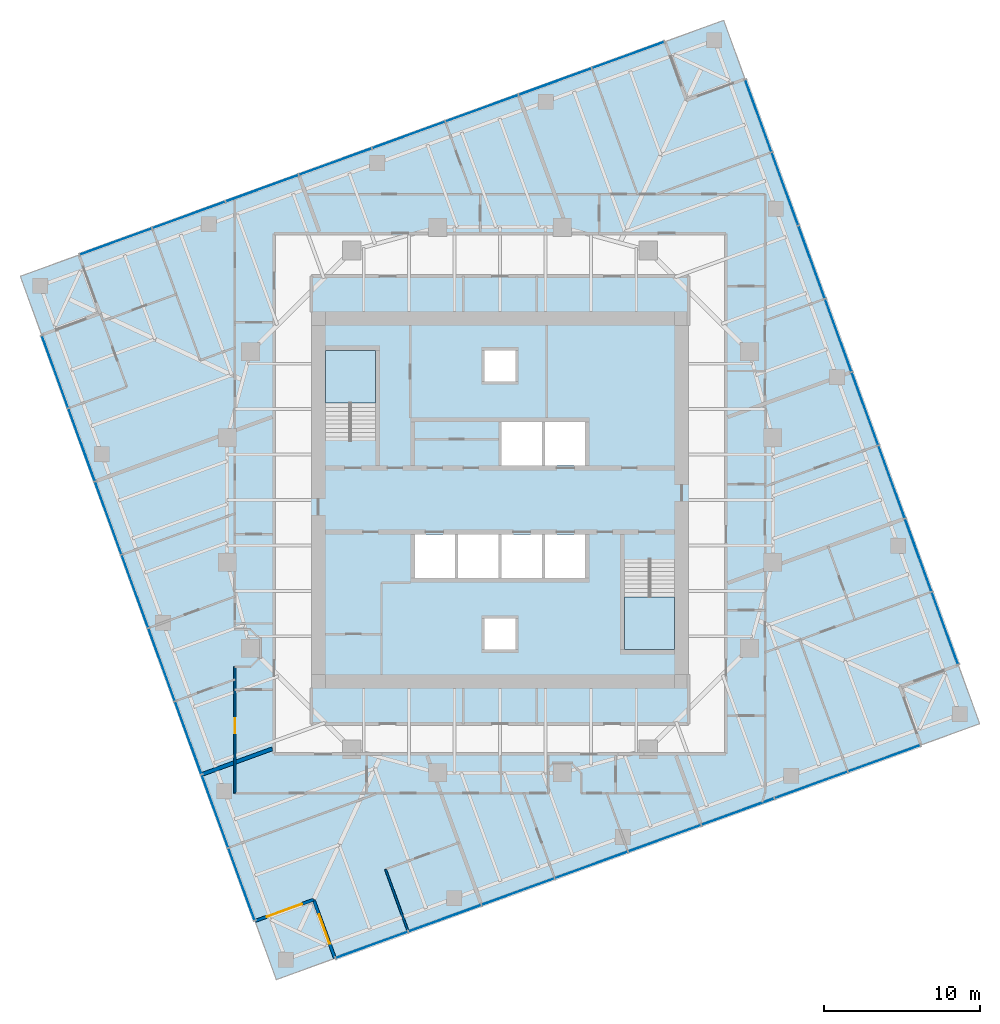
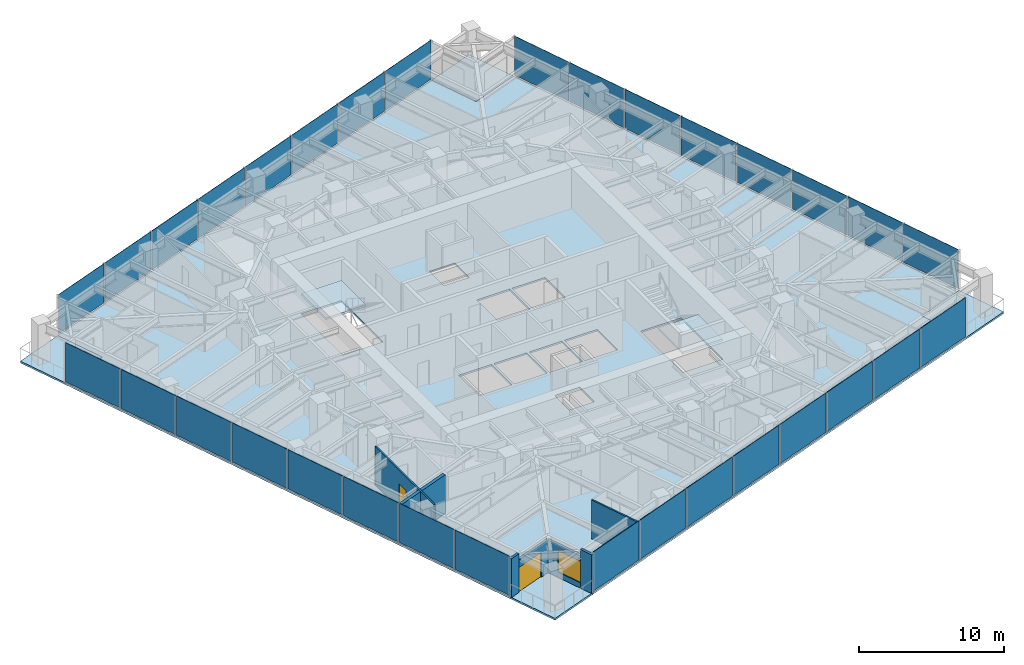
# One storey, part 6 of 13: 32 plates, 7 slabs, 7 walls, 2 doors, 1 window, 3 openings, 6 elements without a shape of their own.
"""IFC4 building model written with IfcOpenShell, lengths in metres."""

from ifc_helpers import new_model, si_unit, direction, frame, frame_2d, origin, origin_2d, place, context, subcontext, project, spatial, polyline, rectangle, outline, extrude, material, layer, layer_set, type_object, element, fill, aggregate, save


model = new_model("IFC4")

# Units and contexts
model_context = context("Model", 3, precision=1e-05, world=origin(), true_north=direction((0.0, 1.0)))
body_context = subcontext(model_context, "Body", "Model", "MODEL_VIEW")
ifc_project = project(units=[si_unit("LENGTHUNIT", "METRE"), si_unit("AREAUNIT", "SQUARE_METRE"), si_unit("VOLUMEUNIT", "CUBIC_METRE"), si_unit("PLANEANGLEUNIT", "RADIAN"), si_unit("MASSUNIT", "GRAM", prefix="KILO")], contexts=[model_context])

# Site, building, storey
site_placement = place(None, origin())
site = spatial("IfcSite", under=ifc_project, at=site_placement, CompositionType="ELEMENT")
building_placement = place(site_placement, origin())
building = spatial("IfcBuilding", under=site, at=building_placement, Name="Torsade Residences", CompositionType="ELEMENT")
storey_placement = place(building_placement, frame((0.0, 0.0, 154.0)))
storey = spatial("IfcBuildingStorey", under=building, at=storey_placement, Name="L42", CompositionType="ELEMENT", Elevation=154.0)

# Slab
ifc_material_1 = material(Name="Concrete 40 MPa", Category="concrete")
ifc_layer_1 = layer(ifc_material_1, 0.14990234375)
ifc_layer_set_1 = layer_set([ifc_layer_1], Name="Concrete 40 MPa")
slab_type_1 = type_object("IfcSlabType", Name="COMPOSITE FLOOR SLAB 150", PredefinedType="FLOOR", material=ifc_layer_set_1)
slab_1_placement = place(storey_placement, frame((0.0, 0.0, -0.14990234375)))
element("IfcSlab", 1, at=slab_1_placement, inside=storey, type_object=slab_type_1, Name="Floor slab L42", PredefinedType="FLOOR", context=body_context, shape_type="SweptSolid", body=[
    extrude(outline(polyline([(29.41455078125, 0.60693359375), (67.00244140625, 14.287841796875), (65.63427734375, 18.046630859375), (69.39306640625, 19.41455078125), (55.712158203125, 57.00244140625), (51.953369140625, 55.63427734375), (50.58544921875, 59.39306640625), (12.99755859375, 45.712158203125), (14.36572265625, 41.953369140625), (10.60693359375, 40.58544921875), (24.287841796875, 2.99755859375), (28.046630859375, 4.36572265625), (29.41455078125, 0.60693359375)]), holes=[polyline([(51.199951171875, 26.1201171875), (48.0, 26.1201171875), (48.0, 20.39990234375), (51.199951171875, 20.39990234375), (51.199951171875, 26.1201171875)]), polyline([(45.5, 27.800048828125), (42.89990234375, 27.800048828125), (42.89990234375, 25.0), (45.5, 25.0), (45.5, 27.800048828125)]), polyline([(45.5, 35.0), (42.89990234375, 35.0), (42.89990234375, 32.199951171875), (45.5, 32.199951171875), (45.5, 35.0)]), polyline([(42.699951171875, 25.0), (42.699951171875, 27.800048828125), (40.10009765625, 27.800048828125), (40.10009765625, 25.0), (42.699951171875, 25.0)]), polyline([(42.699951171875, 35.0), (40.10009765625, 35.0), (40.10009765625, 32.199951171875), (42.699951171875, 32.199951171875), (42.699951171875, 35.0)]), polyline([(41.0, 22.39990234375), (39.0, 22.39990234375), (39.0, 20.39990234375), (41.0, 20.39990234375), (41.0, 22.39990234375)]), polyline([(41.0, 37.60009765625), (41.0, 39.60009765625), (39.0, 39.60009765625), (39.0, 37.60009765625), (41.0, 37.60009765625)]), polyline([(39.89990234375, 25.0), (39.89990234375, 27.800048828125), (37.300048828125, 27.800048828125), (37.300048828125, 25.0), (39.89990234375, 25.0)]), polyline([(37.10009765625, 27.800048828125), (34.5, 27.800048828125), (34.5, 25.0), (37.10009765625, 25.0), (37.10009765625, 27.800048828125)]), polyline([(32.0, 33.8798828125), (32.0, 39.60009765625), (28.800048828125, 39.60009765625), (28.800048828125, 33.8798828125), (32.0, 33.8798828125)])]), origin(), (0.0, 0.0, 1.0), 0.14990234375),
])

# Curtain wall, plates
ifc_material_2 = material(Name="Aluminium and glass", Category="aluminium")
curtain_wall_type = type_object("IfcCurtainWallType", Name="FRITTED GLASS CURTAIN WALL MID ZONE", PredefinedType="NOTDEFINED", material=ifc_material_2)
curtain_wall_1_placement = place(storey_placement, origin())
curtain_wall_1 = element("IfcCurtainWall", 2, at=curtain_wall_1_placement, inside=storey, type_object=curtain_wall_type, Name="Curtain wall L42 face 1", PredefinedType="NOTDEFINED")
ifc_material_3 = material(Name="Laminated glass", Category="glass")
ifc_layer_2 = layer(ifc_material_3, 0.031982421875)
ifc_layer_set_2 = layer_set([ifc_layer_2], Name="Laminated glass")
plate_type_1 = type_object("IfcPlateType", Name="FRITTED GLASS PANEL", PredefinedType="CURTAIN_PANEL", material=ifc_layer_set_2)
plate_1_placement = place(storey_placement, frame((31.78271484375, 1.46875, 0.10986328125), z_axis=(0.0, 0.0, 1.0), x_axis=(0.939692619132, 0.342020147869, 0.0)))
plate_1 = element("IfcPlate", 3, at=plate_1_placement, type_object=plate_type_1, Name="Panel 1", PredefinedType="CURTAIN_PANEL", context=body_context, shape_type="SweptSolid", body=[
    extrude(rectangle(XDim=4.8798828125, YDim=0.031982421875, at=origin_2d()), origin(), (0.0, 0.0, 1.0), 3.2900390625),
])
plate_2_placement = place(storey_placement, frame((41.160888671875, 4.88232421875, 0.10986328125), z_axis=(0.0, 0.0, 1.0), x_axis=(0.939692619132, 0.342020147869, 0.0)))
plate_2 = element("IfcPlate", 4, at=plate_2_placement, type_object=plate_type_1, Name="Panel 3", PredefinedType="CURTAIN_PANEL", context=body_context, shape_type="SweptSolid", body=[
    extrude(rectangle(XDim=4.919921875, YDim=0.031982421875, at=origin_2d()), origin(), (0.0, 0.0, 1.0), 3.2900390625),
])
plate_3_placement = place(storey_placement, frame((45.859130859375, 6.59228515625, 0.10986328125), z_axis=(0.0, 0.0, 1.0), x_axis=(0.939692619132, 0.342020147869, 0.0)))
plate_3 = element("IfcPlate", 5, at=plate_3_placement, type_object=plate_type_1, Name="Panel 4", PredefinedType="CURTAIN_PANEL", context=body_context, shape_type="SweptSolid", body=[
    extrude(rectangle(XDim=4.919921875, YDim=0.031982421875, at=origin_2d()), origin(), (0.0, 0.0, 1.0), 3.2900390625),
])
plate_4_placement = place(storey_placement, frame((50.5576171875, 8.302490234375, 0.10986328125), z_axis=(0.0, 0.0, 1.0), x_axis=(0.939692619132, 0.342020147869, 0.0)))
plate_4 = element("IfcPlate", 6, at=plate_4_placement, type_object=plate_type_1, Name="Panel 5", PredefinedType="CURTAIN_PANEL", context=body_context, shape_type="SweptSolid", body=[
    extrude(rectangle(XDim=4.919921875, YDim=0.031982421875, at=origin_2d()), origin(), (0.0, 0.0, 1.0), 3.2900390625),
])
plate_5_placement = place(storey_placement, frame((59.95458984375, 11.72265625, 0.10986328125), z_axis=(0.0, 0.0, 1.0), x_axis=(0.939692619132, 0.342020147869, 0.0)))
plate_5 = element("IfcPlate", 7, at=plate_5_placement, type_object=plate_type_1, Name="Panel 7", PredefinedType="CURTAIN_PANEL", context=body_context, shape_type="SweptSolid", body=[
    extrude(rectangle(XDim=4.919921875, YDim=0.031982421875, at=origin_2d()), origin(), (0.0, 0.0, 1.0), 3.2900390625),
])
plate_6_placement = place(storey_placement, frame((64.63427734375, 13.42578125, 0.10986328125), z_axis=(0.0, 0.0, 1.0), x_axis=(0.939692619132, 0.342020147869, 0.0)))
plate_6 = element("IfcPlate", 8, at=plate_6_placement, type_object=plate_type_1, Name="Panel 8", PredefinedType="CURTAIN_PANEL", context=body_context, shape_type="SweptSolid", body=[
    extrude(rectangle(XDim=4.8798828125, YDim=0.031982421875, at=origin_2d()), origin(), (0.0, 0.0, 1.0), 3.2900390625),
])

curtain_wall_2_placement = place(storey_placement, origin())
curtain_wall_2 = element("IfcCurtainWall", 9, at=curtain_wall_2_placement, inside=storey, type_object=curtain_wall_type, Name="Curtain wall L42 face 4", PredefinedType="NOTDEFINED")
plate_7_placement = place(storey_placement, frame((68.53125, 21.78271484375, 0.10986328125), z_axis=(0.0, 0.0, 1.0), x_axis=(-0.342020147869, 0.939692619132, 0.0)))
plate_7 = element("IfcPlate", 10, at=plate_7_placement, type_object=plate_type_1, Name="Panel 1", PredefinedType="CURTAIN_PANEL", context=body_context, shape_type="SweptSolid", body=[
    extrude(rectangle(XDim=4.8798828125, YDim=0.031982421875, at=origin_2d()), origin(), (0.0, 0.0, 1.0), 3.2900390625),
])
plate_8_placement = place(storey_placement, frame((65.11767578125, 31.160888671875, 0.10986328125), z_axis=(0.0, 0.0, 1.0), x_axis=(-0.342020147869, 0.939692619132, 0.0)))
plate_8 = element("IfcPlate", 11, at=plate_8_placement, type_object=plate_type_1, Name="Panel 3", PredefinedType="CURTAIN_PANEL", context=body_context, shape_type="SweptSolid", body=[
    extrude(rectangle(XDim=4.919921875, YDim=0.031982421875, at=origin_2d()), origin(), (0.0, 0.0, 1.0), 3.2900390625),
])
plate_9_placement = place(storey_placement, frame((63.40771484375, 35.859130859375, 0.10986328125), z_axis=(0.0, 0.0, 1.0), x_axis=(-0.342020147869, 0.939692619132, 0.0)))
plate_9 = element("IfcPlate", 12, at=plate_9_placement, type_object=plate_type_1, Name="Panel 4", PredefinedType="CURTAIN_PANEL", context=body_context, shape_type="SweptSolid", body=[
    extrude(rectangle(XDim=4.919921875, YDim=0.031982421875, at=origin_2d()), origin(), (0.0, 0.0, 1.0), 3.2900390625),
])
plate_10_placement = place(storey_placement, frame((61.697509765625, 40.5576171875, 0.10986328125), z_axis=(0.0, 0.0, 1.0), x_axis=(-0.342020147869, 0.939692619132, 0.0)))
plate_10 = element("IfcPlate", 13, at=plate_10_placement, type_object=plate_type_1, Name="Panel 5", PredefinedType="CURTAIN_PANEL", context=body_context, shape_type="SweptSolid", body=[
    extrude(rectangle(XDim=4.919921875, YDim=0.031982421875, at=origin_2d()), origin(), (0.0, 0.0, 1.0), 3.2900390625),
])
plate_11_placement = place(storey_placement, frame((58.27734375, 49.95458984375, 0.10986328125), z_axis=(0.0, 0.0, 1.0), x_axis=(-0.342020147869, 0.939692619132, 0.0)))
plate_11 = element("IfcPlate", 14, at=plate_11_placement, type_object=plate_type_1, Name="Panel 7", PredefinedType="CURTAIN_PANEL", context=body_context, shape_type="SweptSolid", body=[
    extrude(rectangle(XDim=4.919921875, YDim=0.031982421875, at=origin_2d()), origin(), (0.0, 0.0, 1.0), 3.2900390625),
])
plate_12_placement = place(storey_placement, frame((56.57421875, 54.63427734375, 0.10986328125), z_axis=(0.0, 0.0, 1.0), x_axis=(-0.342020147869, 0.939692619132, 0.0)))
plate_12 = element("IfcPlate", 15, at=plate_12_placement, type_object=plate_type_1, Name="Panel 8", PredefinedType="CURTAIN_PANEL", context=body_context, shape_type="SweptSolid", body=[
    extrude(rectangle(XDim=4.8798828125, YDim=0.031982421875, at=origin_2d()), origin(), (0.0, 0.0, 1.0), 3.2900390625),
])

curtain_wall_3_placement = place(storey_placement, origin())
curtain_wall_3 = element("IfcCurtainWall", 16, at=curtain_wall_3_placement, inside=storey, type_object=curtain_wall_type, Name="Curtain wall L42 face 7", PredefinedType="NOTDEFINED")
plate_13_placement = place(storey_placement, frame((48.21728515625, 58.53125, 0.10986328125), z_axis=(0.0, 0.0, 1.0), x_axis=(-0.939692619132, -0.342020147869, 0.0)))
plate_13 = element("IfcPlate", 17, at=plate_13_placement, type_object=plate_type_1, Name="Panel 1", PredefinedType="CURTAIN_PANEL", context=body_context, shape_type="SweptSolid", body=[
    extrude(rectangle(XDim=4.8798828125, YDim=0.031982421875, at=origin_2d()), origin(), (0.0, 0.0, 1.0), 3.2900390625),
])
plate_14_placement = place(storey_placement, frame((38.839111328125, 55.11767578125, 0.10986328125), z_axis=(0.0, 0.0, 1.0), x_axis=(-0.939692619132, -0.342020147869, 0.0)))
plate_14 = element("IfcPlate", 18, at=plate_14_placement, type_object=plate_type_1, Name="Panel 3", PredefinedType="CURTAIN_PANEL", context=body_context, shape_type="SweptSolid", body=[
    extrude(rectangle(XDim=4.919921875, YDim=0.031982421875, at=origin_2d()), origin(), (0.0, 0.0, 1.0), 3.2900390625),
])
plate_15_placement = place(storey_placement, frame((34.140869140625, 53.40771484375, 0.10986328125), z_axis=(0.0, 0.0, 1.0), x_axis=(-0.939692619132, -0.342020147869, 0.0)))
plate_15 = element("IfcPlate", 19, at=plate_15_placement, type_object=plate_type_1, Name="Panel 4", PredefinedType="CURTAIN_PANEL", context=body_context, shape_type="SweptSolid", body=[
    extrude(rectangle(XDim=4.919921875, YDim=0.031982421875, at=origin_2d()), origin(), (0.0, 0.0, 1.0), 3.2900390625),
])
plate_16_placement = place(storey_placement, frame((29.4423828125, 51.697509765625, 0.10986328125), z_axis=(0.0, 0.0, 1.0), x_axis=(-0.939692619132, -0.342020147869, 0.0)))
plate_16 = element("IfcPlate", 20, at=plate_16_placement, type_object=plate_type_1, Name="Panel 5", PredefinedType="CURTAIN_PANEL", context=body_context, shape_type="SweptSolid", body=[
    extrude(rectangle(XDim=4.919921875, YDim=0.031982421875, at=origin_2d()), origin(), (0.0, 0.0, 1.0), 3.2900390625),
])
plate_17_placement = place(storey_placement, frame((20.04541015625, 48.27734375, 0.10986328125), z_axis=(0.0, 0.0, 1.0), x_axis=(-0.939692619132, -0.342020147869, 0.0)))
plate_17 = element("IfcPlate", 21, at=plate_17_placement, type_object=plate_type_1, Name="Panel 7", PredefinedType="CURTAIN_PANEL", context=body_context, shape_type="SweptSolid", body=[
    extrude(rectangle(XDim=4.919921875, YDim=0.031982421875, at=origin_2d()), origin(), (0.0, 0.0, 1.0), 3.2900390625),
])
plate_18_placement = place(storey_placement, frame((15.36572265625, 46.57421875, 0.10986328125), z_axis=(0.0, 0.0, 1.0), x_axis=(-0.939692619132, -0.342020147869, 0.0)))
plate_18 = element("IfcPlate", 22, at=plate_18_placement, type_object=plate_type_1, Name="Panel 8", PredefinedType="CURTAIN_PANEL", context=body_context, shape_type="SweptSolid", body=[
    extrude(rectangle(XDim=4.8798828125, YDim=0.031982421875, at=origin_2d()), origin(), (0.0, 0.0, 1.0), 3.2900390625),
])

curtain_wall_4_placement = place(storey_placement, origin())
curtain_wall_4 = element("IfcCurtainWall", 23, at=curtain_wall_4_placement, inside=storey, type_object=curtain_wall_type, Name="Curtain wall L42 face 10", PredefinedType="NOTDEFINED")
plate_19_placement = place(storey_placement, frame((11.46875, 38.21728515625, 0.10986328125), z_axis=(0.0, 0.0, 1.0), x_axis=(0.342020147869, -0.939692619132, 0.0)))
plate_19 = element("IfcPlate", 24, at=plate_19_placement, type_object=plate_type_1, Name="Panel 1", PredefinedType="CURTAIN_PANEL", context=body_context, shape_type="SweptSolid", body=[
    extrude(rectangle(XDim=4.8798828125, YDim=0.031982421875, at=origin_2d()), origin(), (0.0, 0.0, 1.0), 3.2900390625),
])
plate_20_placement = place(storey_placement, frame((14.88232421875, 28.839111328125, 0.10986328125), z_axis=(0.0, 0.0, 1.0), x_axis=(0.342020147869, -0.939692619132, 0.0)))
plate_20 = element("IfcPlate", 25, at=plate_20_placement, type_object=plate_type_1, Name="Panel 3", PredefinedType="CURTAIN_PANEL", context=body_context, shape_type="SweptSolid", body=[
    extrude(rectangle(XDim=4.919921875, YDim=0.031982421875, at=origin_2d()), origin(), (0.0, 0.0, 1.0), 3.2900390625),
])
plate_21_placement = place(storey_placement, frame((16.59228515625, 24.140869140625, 0.10986328125), z_axis=(0.0, 0.0, 1.0), x_axis=(0.342020147869, -0.939692619132, 0.0)))
plate_21 = element("IfcPlate", 26, at=plate_21_placement, type_object=plate_type_1, Name="Panel 4", PredefinedType="CURTAIN_PANEL", context=body_context, shape_type="SweptSolid", body=[
    extrude(rectangle(XDim=4.919921875, YDim=0.031982421875, at=origin_2d()), origin(), (0.0, 0.0, 1.0), 3.2900390625),
])
plate_22_placement = place(storey_placement, frame((18.302490234375, 19.4423828125, 0.10986328125), z_axis=(0.0, 0.0, 1.0), x_axis=(0.342020147869, -0.939692619132, 0.0)))
plate_22 = element("IfcPlate", 27, at=plate_22_placement, type_object=plate_type_1, Name="Panel 5", PredefinedType="CURTAIN_PANEL", context=body_context, shape_type="SweptSolid", body=[
    extrude(rectangle(XDim=4.919921875, YDim=0.031982421875, at=origin_2d()), origin(), (0.0, 0.0, 1.0), 3.2900390625),
])
plate_23_placement = place(storey_placement, frame((21.72265625, 10.04541015625, 0.10986328125), z_axis=(0.0, 0.0, 1.0), x_axis=(0.342020147869, -0.939692619132, 0.0)))
plate_23 = element("IfcPlate", 28, at=plate_23_placement, type_object=plate_type_1, Name="Panel 7", PredefinedType="CURTAIN_PANEL", context=body_context, shape_type="SweptSolid", body=[
    extrude(rectangle(XDim=4.919921875, YDim=0.031982421875, at=origin_2d()), origin(), (0.0, 0.0, 1.0), 3.2900390625),
])
plate_24_placement = place(storey_placement, frame((23.42578125, 5.36572265625, 0.10986328125), z_axis=(0.0, 0.0, 1.0), x_axis=(0.342020147869, -0.939692619132, 0.0)))
plate_24 = element("IfcPlate", 29, at=plate_24_placement, type_object=plate_type_1, Name="Panel 8", PredefinedType="CURTAIN_PANEL", context=body_context, shape_type="SweptSolid", body=[
    extrude(rectangle(XDim=4.8798828125, YDim=0.031982421875, at=origin_2d()), origin(), (0.0, 0.0, 1.0), 3.2900390625),
])

# Plate
ifc_material_4 = material(Name="Laminated glass", Category="glass")
ifc_layer_3 = layer(ifc_material_4, 0.0400390625)
ifc_layer_set_3 = layer_set([ifc_layer_3], Name="Laminated glass")
plate_type_2 = type_object("IfcPlateType", Name="OPERABLE VENT PANEL", PredefinedType="CURTAIN_PANEL", material=ifc_layer_set_3)
plate_25_placement = place(storey_placement, frame((36.46240234375, 3.172119140625, 0.10986328125), z_axis=(0.0, 0.0, 1.0), x_axis=(0.939692619132, 0.342020147869, 0.0)))
plate_25 = element("IfcPlate", 30, at=plate_25_placement, type_object=plate_type_2, Name="Panel 2", PredefinedType="CURTAIN_PANEL", context=body_context, shape_type="SweptSolid", body=[
    extrude(rectangle(XDim=4.919921875, YDim=0.0400390625, at=origin_2d()), origin(), (0.0, 0.0, 1.0), 3.2900390625),
])

plate_26_placement = place(storey_placement, frame((55.256103515625, 10.012451171875, 0.10986328125), z_axis=(0.0, 0.0, 1.0), x_axis=(0.939692619132, 0.342020147869, 0.0)))
plate_26 = element("IfcPlate", 31, at=plate_26_placement, type_object=plate_type_2, Name="Panel 6", PredefinedType="CURTAIN_PANEL", context=body_context, shape_type="SweptSolid", body=[
    extrude(rectangle(XDim=4.919921875, YDim=0.0400390625, at=origin_2d()), origin(), (0.0, 0.0, 1.0), 3.2900390625),
])

aggregate(curtain_wall_1, [plate_1, plate_25, plate_2, plate_3, plate_4, plate_26, plate_5, plate_6])

plate_27_placement = place(storey_placement, frame((66.827880859375, 26.46240234375, 0.10986328125), z_axis=(0.0, 0.0, 1.0), x_axis=(-0.342020147869, 0.939692619132, 0.0)))
plate_27 = element("IfcPlate", 32, at=plate_27_placement, type_object=plate_type_2, Name="Panel 2", PredefinedType="CURTAIN_PANEL", context=body_context, shape_type="SweptSolid", body=[
    extrude(rectangle(XDim=4.919921875, YDim=0.0400390625, at=origin_2d()), origin(), (0.0, 0.0, 1.0), 3.2900390625),
])

plate_28_placement = place(storey_placement, frame((59.987548828125, 45.256103515625, 0.10986328125), z_axis=(0.0, 0.0, 1.0), x_axis=(-0.342020147869, 0.939692619132, 0.0)))
plate_28 = element("IfcPlate", 33, at=plate_28_placement, type_object=plate_type_2, Name="Panel 6", PredefinedType="CURTAIN_PANEL", context=body_context, shape_type="SweptSolid", body=[
    extrude(rectangle(XDim=4.919921875, YDim=0.0400390625, at=origin_2d()), origin(), (0.0, 0.0, 1.0), 3.2900390625),
])

aggregate(curtain_wall_2, [plate_7, plate_27, plate_8, plate_9, plate_10, plate_28, plate_11, plate_12])

plate_29_placement = place(storey_placement, frame((43.53759765625, 56.827880859375, 0.10986328125), z_axis=(0.0, 0.0, 1.0), x_axis=(-0.939692619132, -0.342020147869, 0.0)))
plate_29 = element("IfcPlate", 34, at=plate_29_placement, type_object=plate_type_2, Name="Panel 2", PredefinedType="CURTAIN_PANEL", context=body_context, shape_type="SweptSolid", body=[
    extrude(rectangle(XDim=4.919921875, YDim=0.0400390625, at=origin_2d()), origin(), (0.0, 0.0, 1.0), 3.2900390625),
])

plate_30_placement = place(storey_placement, frame((24.743896484375, 49.987548828125, 0.10986328125), z_axis=(0.0, 0.0, 1.0), x_axis=(-0.939692619132, -0.342020147869, 0.0)))
plate_30 = element("IfcPlate", 35, at=plate_30_placement, type_object=plate_type_2, Name="Panel 6", PredefinedType="CURTAIN_PANEL", context=body_context, shape_type="SweptSolid", body=[
    extrude(rectangle(XDim=4.919921875, YDim=0.0400390625, at=origin_2d()), origin(), (0.0, 0.0, 1.0), 3.2900390625),
])

aggregate(curtain_wall_3, [plate_13, plate_29, plate_14, plate_15, plate_16, plate_30, plate_17, plate_18])

plate_31_placement = place(storey_placement, frame((13.172119140625, 33.53759765625, 0.10986328125), z_axis=(0.0, 0.0, 1.0), x_axis=(0.342020147869, -0.939692619132, 0.0)))
plate_31 = element("IfcPlate", 36, at=plate_31_placement, type_object=plate_type_2, Name="Panel 2", PredefinedType="CURTAIN_PANEL", context=body_context, shape_type="SweptSolid", body=[
    extrude(rectangle(XDim=4.919921875, YDim=0.0400390625, at=origin_2d()), origin(), (0.0, 0.0, 1.0), 3.2900390625),
])

plate_32_placement = place(storey_placement, frame((20.012451171875, 14.743896484375, 0.10986328125), z_axis=(0.0, 0.0, 1.0), x_axis=(0.342020147869, -0.939692619132, 0.0)))
plate_32 = element("IfcPlate", 37, at=plate_32_placement, type_object=plate_type_2, Name="Panel 6", PredefinedType="CURTAIN_PANEL", context=body_context, shape_type="SweptSolid", body=[
    extrude(rectangle(XDim=4.919921875, YDim=0.0400390625, at=origin_2d()), origin(), (0.0, 0.0, 1.0), 3.2900390625),
])

aggregate(curtain_wall_4, [plate_19, plate_31, plate_20, plate_21, plate_22, plate_32, plate_23, plate_24])

# Stair, slab
ifc_material_5 = material(Name="Precast concrete 40 MPa", Category="concrete")
stair_type = type_object("IfcStairType", Name="HALF-TURN FIRE STAIR 1500x3400", PredefinedType="HALF_TURN_STAIR", material=ifc_material_5)
stair_1_placement = place(storey_placement, origin())
stair_1 = element("IfcStair", 38, at=stair_1_placement, inside=storey, type_object=stair_type, Name="Stair ST1 L42", PredefinedType="HALF_TURN_STAIR")
ifc_material_6 = material(Name="Precast concrete 40 MPa", Category="concrete")
ifc_layer_4 = layer(ifc_material_6, 0.179931640625)
ifc_layer_set_4 = layer_set([ifc_layer_4], Name="Precast concrete 40 MPa")
slab_type_2 = type_object("IfcSlabType", Name="PRECAST STAIR LANDING 180", PredefinedType="LANDING", material=ifc_layer_set_4)
slab_2_placement = place(storey_placement, frame((0.0, 0.0, 1.52001953125)))
slab_2 = element("IfcSlab", 39, at=slab_2_placement, type_object=slab_type_2, Name="ST1 landing 1", PredefinedType="LANDING", context=body_context, shape_type="SweptSolid", body=[
    extrude(outline(polyline([(28.800048828125, 36.2099609375), (32.0, 36.2099609375), (32.0, 39.60009765625), (28.800048828125, 39.60009765625), (28.800048828125, 36.2099609375)])), origin(), (0.0, 0.0, 1.0), 0.179931640625),
])
aggregate(stair_1, [slab_2])

stair_2_placement = place(storey_placement, origin())
stair_2 = element("IfcStair", 40, at=stair_2_placement, inside=storey, type_object=stair_type, Name="Stair ST2 L42", PredefinedType="HALF_TURN_STAIR")
slab_3_placement = place(storey_placement, frame((0.0, 0.0, 1.52001953125)))
slab_3 = element("IfcSlab", 41, at=slab_3_placement, type_object=slab_type_2, Name="ST2 landing 1", PredefinedType="LANDING", context=body_context, shape_type="SweptSolid", body=[
    extrude(outline(polyline([(48.0, 20.39990234375), (51.199951171875, 20.39990234375), (51.199951171875, 23.7900390625), (48.0, 23.7900390625), (48.0, 20.39990234375)])), origin(), (0.0, 0.0, 1.0), 0.179931640625),
])
aggregate(stair_2, [slab_3])

# Slabs
ifc_material_7 = material(Name="Concrete 40 MPa", Category="concrete")
ifc_layer_5 = layer(ifc_material_7, 0.14990234375)
ifc_layer_set_5 = layer_set([ifc_layer_5], Name="Concrete 40 MPa")
slab_type_3 = type_object("IfcSlabType", Name="TERRACE SLAB 150", PredefinedType="FLOOR", material=ifc_layer_set_5)
slab_4_placement = place(storey_placement, frame((0.0, 0.0, -0.14990234375)))
element("IfcSlab", 42, at=slab_4_placement, inside=storey, type_object=slab_type_3, Name="Corner terrace slab SE L42", PredefinedType="FLOOR", context=body_context, shape_type="SweptSolid", body=[
    extrude(outline(polyline([(67.00244140625, 14.287841796875), (70.760986328125, 15.65576171875), (69.39306640625, 19.41455078125), (65.63427734375, 18.046630859375), (67.00244140625, 14.287841796875)])), origin(), (0.0, 0.0, 1.0), 0.14990234375),
])
slab_5_placement = place(storey_placement, frame((0.0, 0.0, -0.14990234375)))
element("IfcSlab", 43, at=slab_5_placement, inside=storey, type_object=slab_type_3, Name="Corner terrace slab NE L42", PredefinedType="FLOOR", context=body_context, shape_type="SweptSolid", body=[
    extrude(outline(polyline([(51.953369140625, 55.63427734375), (55.712158203125, 57.00244140625), (54.34423828125, 60.760986328125), (50.58544921875, 59.39306640625), (51.953369140625, 55.63427734375)])), origin(), (0.0, 0.0, 1.0), 0.14990234375),
])
slab_6_placement = place(storey_placement, frame((0.0, 0.0, -0.14990234375)))
element("IfcSlab", 44, at=slab_6_placement, inside=storey, type_object=slab_type_3, Name="Corner terrace slab NW L42", PredefinedType="FLOOR", context=body_context, shape_type="SweptSolid", body=[
    extrude(outline(polyline([(10.60693359375, 40.58544921875), (14.36572265625, 41.953369140625), (12.99755859375, 45.712158203125), (9.239013671875, 44.34423828125), (10.60693359375, 40.58544921875)])), origin(), (0.0, 0.0, 1.0), 0.14990234375),
])
slab_7_placement = place(storey_placement, frame((0.0, 0.0, -0.14990234375)))
element("IfcSlab", 45, at=slab_7_placement, inside=storey, type_object=slab_type_3, Name="Corner terrace slab SW L42", PredefinedType="FLOOR", context=body_context, shape_type="SweptSolid", body=[
    extrude(outline(polyline([(25.65576171875, -0.760986328125), (29.41455078125, 0.60693359375), (28.046630859375, 4.36572265625), (24.287841796875, 2.99755859375), (25.65576171875, -0.760986328125)])), origin(), (0.0, 0.0, 1.0), 0.14990234375),
])

# Wall, opening, door
ifc_material_8 = material(Name="Plasterboard on steel stud", Category="steel")
ifc_layer_6 = layer(ifc_material_8, 0.1201171875)
ifc_layer_set_6 = layer_set([ifc_layer_6], Name="Plasterboard on steel stud")
wall_type_1 = type_object("IfcWallType", Name="PARTITION 120", PredefinedType="PARTITIONING", material=ifc_layer_set_6)
wall_1_placement = place(storey_placement, frame((23.0, 11.199951171875, 0.0), z_axis=(0.0, 0.0, 1.0), x_axis=(0.0, 1.0, 0.0)))
wall_1 = element("IfcWall", 46, at=wall_1_placement, inside=storey, type_object=wall_type_1, Name="Partition L42", PredefinedType="PARTITIONING", context=body_context, shape_type="SweptSolid", body=[
    extrude(rectangle(XDim=8.10009765625, YDim=0.1201171875, at=frame_2d((4.050048828125, 0.0))), origin(), (0.0, 0.0, 1.0), 3.25),
])
opening_1_placement = place(wall_1_placement, frame((3.849365234375, 0.0, 0.0)))
opening_1 = element("IfcOpeningElement", 47, at=opening_1_placement, cuts=wall_1, Name="Opening D05", PredefinedType="OPENING", context=body_context, shape_type="SweptSolid", body=[
    extrude(rectangle(XDim=0.9599609375, YDim=2.10009765625, at=frame_2d((0.47998046875, 1.050048828125))), frame((0.0, 0.070068359375, 0.0), z_axis=(0.0, -1.0, 0.0), x_axis=(1.0, 0.0, 0.0)), (0.0, 0.0, 1.0), 0.14013671875),
])
ifc_material_9 = material(Name="Hollow-core timber door in a steel cavity frame", Category="steel")
door_type_1 = type_object("IfcDoorType", Name="BATHROOM CAVITY SLIDING DOOR 960", OperationType="SLIDING_TO_LEFT", PredefinedType="DOOR", material=ifc_material_9)
door_1_placement = place(opening_1_placement, origin())
door_1 = element("IfcDoor", 48, at=door_1_placement, inside=storey, type_object=door_type_1, Name="Door WC to Bedroom 3", OperationType="SLIDING_TO_LEFT", OverallHeight=2.10009765625, OverallWidth=0.9599609375, PredefinedType="DOOR", context=body_context, shape_type="SweptSolid", body=[
    extrude(rectangle(XDim=0.9599609375, YDim=2.10009765625, at=frame_2d((0.47998046875, 1.050048828125))), frame((0.0, 0.02490234375, 0.0), z_axis=(0.0, -1.0, 0.0), x_axis=(1.0, 0.0, 0.0)), (0.0, 0.0, 1.0), 0.050048828125),
])
fill(opening_1, door_1)

# Walls
wall_2_placement = place(storey_placement, frame((32.6611328125, 6.306396484375, 0.0), z_axis=(0.0, 0.0, 1.0), x_axis=(0.342008751641, -0.939696766942, 0.0)))
element("IfcWall", 49, at=wall_2_placement, inside=storey, type_object=wall_type_1, Name="Partition L42", PredefinedType="PARTITIONING", context=body_context, shape_type="SweptSolid", body=[
    extrude(rectangle(XDim=4.205322265625, YDim=0.1201171875, at=frame_2d((2.1025390625, 0.0))), origin(), (0.0, 0.0, 1.0), 3.25),
])
ifc_material_10 = material(Name="Masonry-lined stud party wall", Category="masonry")
ifc_layer_7 = layer(ifc_material_10, 0.25)
ifc_layer_set_7 = layer_set([ifc_layer_7], Name="Masonry-lined stud party wall")
wall_type_2 = type_object("IfcWallType", Name="PARTY WALL 250", PredefinedType="PARTITIONING", material=ifc_layer_set_7)
wall_3_placement = place(storey_placement, frame((20.86767578125, 12.39453125, 0.0), z_axis=(0.0, 0.0, 1.0), x_axis=(0.939677962656, 0.342060413521, 0.0)))
element("IfcWall", 50, at=wall_3_placement, inside=storey, type_object=wall_type_2, Name="Party wall L42", PredefinedType="PARTITIONING", context=body_context, shape_type="SweptSolid", body=[
    extrude(rectangle(XDim=4.817626953125, YDim=0.25, at=frame_2d((2.40869140625, 0.0))), origin(), (0.0, 0.0, 1.0), 3.25),
])
ifc_material_11 = material(Name="Stone-faced precast concrete 40 MPa panel", Category="masonry")
ifc_layer_8 = layer(ifc_material_11, 0.199951171875)
ifc_layer_set_8 = layer_set([ifc_layer_8], Name="Stone-faced precast concrete 40 MPa panel")
wall_type_3 = type_object("IfcWallType", Name="TERRACE WALL 200", PredefinedType="SOLIDWALL", material=ifc_layer_set_8)
wall_4_placement = place(storey_placement, frame((24.287841796875, 2.99755859375, 0.0), z_axis=(0.0, 0.0, 1.0), x_axis=(0.939659694648, 0.342110593602, 0.0)))
element("IfcWall", 51, at=wall_4_placement, inside=storey, type_object=wall_type_3, Name="Terrace wall L42 11", PredefinedType="SOLIDWALL", context=body_context, shape_type="SweptSolid", body=[
    extrude(rectangle(XDim=0.800048828125, YDim=0.199951171875, at=frame_2d((0.39990234375, 0.0))), origin(), (0.0, 0.0, 1.0), 3.25),
])

# Wall, opening, door
wall_5_placement = place(storey_placement, frame((25.03955078125, 3.271240234375, 0.0), z_axis=(0.0, 0.0, 1.0), x_axis=(0.939693144909, 0.342018703306, 0.0)))
wall_5 = element("IfcWall", 52, at=wall_5_placement, inside=storey, type_object=wall_type_3, Name="Terrace wall L42 11", PredefinedType="SOLIDWALL", context=body_context, shape_type="SweptSolid", body=[
    extrude(rectangle(XDim=3.199951171875, YDim=0.199951171875, at=frame_2d((1.60009765625, 0.0))), origin(), (0.0, 0.0, 1.0), 2.720947265625),
])
opening_2_placement = place(wall_5_placement, origin())
opening_2 = element("IfcOpeningElement", 53, at=opening_2_placement, cuts=wall_5, Name="Opening D10A", PredefinedType="OPENING", context=body_context, shape_type="SweptSolid", body=[
    extrude(rectangle(XDim=2.39990234375, YDim=2.10009765625, at=frame_2d((1.199951171875, 1.050048828125))), frame((0.0, 0.10986328125, 0.0), z_axis=(0.0, -1.0, 0.0), x_axis=(1.0, 0.0, 0.0)), (0.0, 0.0, 1.0), 0.219970703125),
])
ifc_material_12 = material(Name="Aluminium-framed glass door", Category="aluminium")
door_type_2 = type_object("IfcDoorType", Name="TERRACE SLIDING DOOR 2400x2100", OperationType="SLIDING_TO_LEFT", PredefinedType="DOOR", material=ifc_material_12)
door_2_placement = place(opening_2_placement, origin())
door_2 = element("IfcDoor", 54, at=door_2_placement, inside=storey, type_object=door_type_2, Name="Terrace door L42 11", OperationType="SLIDING_TO_LEFT", OverallHeight=2.10009765625, OverallWidth=2.39990234375, PredefinedType="DOOR", context=body_context, shape_type="SweptSolid", body=[
    extrude(rectangle(XDim=2.39990234375, YDim=2.10009765625, at=frame_2d((1.199951171875, 1.050048828125))), frame((0.0, 0.02490234375, 0.0), z_axis=(0.0, -1.0, 0.0), x_axis=(1.0, 0.0, 0.0)), (0.0, 0.0, 1.0), 0.050048828125),
])
fill(opening_2, door_2)

# Wall, opening, window
wall_6_placement = place(storey_placement, frame((28.046630859375, 4.36572265625, 0.0), z_axis=(0.0, 0.0, 1.0), x_axis=(0.341965219194, -0.939712609717, 0.0)))
wall_6 = element("IfcWall", 55, at=wall_6_placement, inside=storey, type_object=wall_type_3, Name="Terrace wall L42 12", PredefinedType="SOLIDWALL", context=body_context, shape_type="SweptSolid", body=[
    extrude(rectangle(XDim=3.0, YDim=0.199951171875, at=frame_2d((1.5, 0.0))), origin(), (0.0, 0.0, 1.0), 2.720947265625),
])
opening_3_placement = place(wall_6_placement, frame((1.0, 0.0, 0.449951171875)))
opening_3 = element("IfcOpeningElement", 56, at=opening_3_placement, cuts=wall_6, Name="Opening W1B", PredefinedType="OPENING", context=body_context, shape_type="SweptSolid", body=[
    extrude(rectangle(XDim=2.0, YDim=1.800048828125, at=frame_2d((1.0, 0.89990234375))), frame((0.0, 0.10986328125, 0.0), z_axis=(0.0, -1.0, 0.0), x_axis=(1.0, 0.0, 0.0)), (0.0, 0.0, 1.0), 0.219970703125),
])
ifc_material_13 = material(Name="Aluminium-framed glass window", Category="aluminium")
window_type = type_object("IfcWindowType", Name="TERRACE WINDOW 2000x1800", PartitioningType="SINGLE_PANEL", PredefinedType="WINDOW", material=ifc_material_13)
window_placement = place(opening_3_placement, origin())
window = element("IfcWindow", 57, at=window_placement, inside=storey, type_object=window_type, Name="Terrace window L42 12", OverallHeight=1.800048828125, OverallWidth=2.0, PartitioningType="SINGLE_PANEL", PredefinedType="WINDOW", context=body_context, shape_type="SweptSolid", body=[
    extrude(rectangle(XDim=2.0, YDim=1.800048828125, at=frame_2d((1.0, 0.89990234375))), frame((0.0, 0.030029296875, 0.0), z_axis=(0.0, -1.0, 0.0), x_axis=(1.0, 0.0, 0.0)), (0.0, 0.0, 1.0), 0.06005859375),
])
fill(opening_3, window)

# Wall
wall_7_placement = place(storey_placement, frame((29.072509765625, 1.546630859375, 0.0), z_axis=(0.0, 0.0, 1.0), x_axis=(0.342037080957, -0.939686455819, 0.0)))
element("IfcWall", 58, at=wall_7_placement, inside=storey, type_object=wall_type_3, Name="Terrace wall L42 12", PredefinedType="SOLIDWALL", context=body_context, shape_type="SweptSolid", body=[
    extrude(rectangle(XDim=1.0, YDim=0.199951171875, at=frame_2d((0.5, 0.0))), origin(), (0.0, 0.0, 1.0), 3.25),
])

save(model, "model.ifc")
